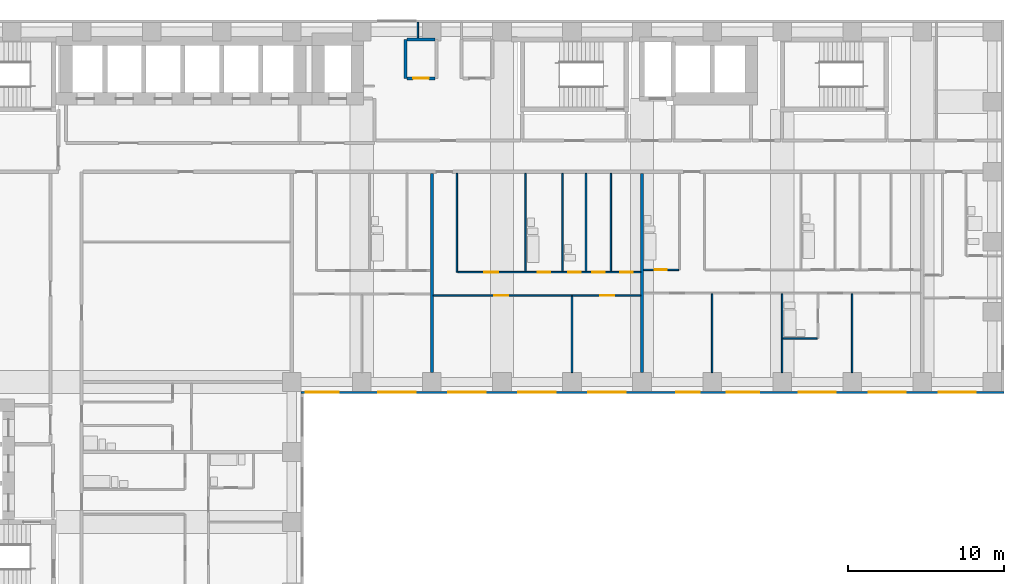
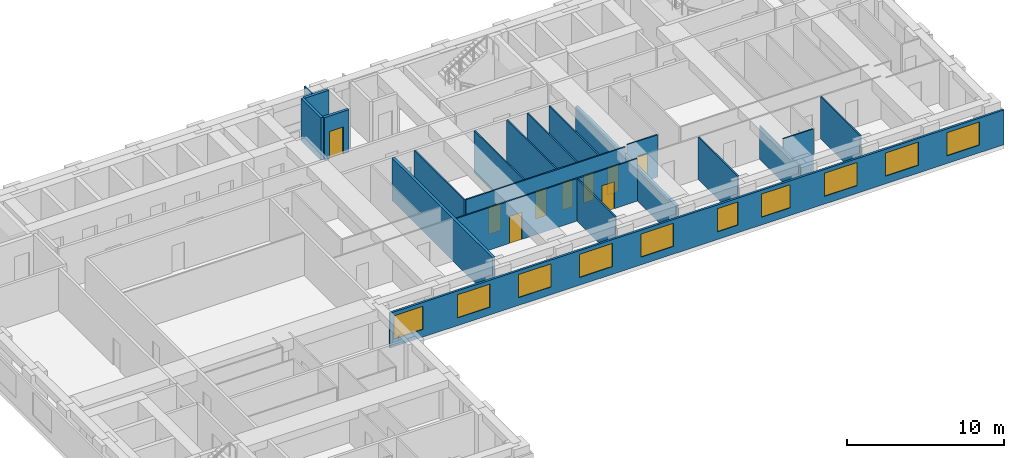
# One storey, part 6 of 11: 20 walls, 10 windows, 9 doors, 19 openings.
"""IFC4 building model written with IfcOpenShell, lengths in metres."""

import ifcopenshell
import ifcopenshell.guid

model = None  # the IFC model being written
_history = None  # IfcOwnerHistory: only IFC2X3 demands one
_inside = {}  # id of a spatial element -> (the spatial element, [elements in it])
_under = {}  # id of a project, library or spatial element -> (it, [spatial elements below it])
_declared = {}  # id of a project -> (the project, [libraries it declares])
_typed = {}  # id of a type object -> (the type object, [elements of that type])
_made_of = {}  # id of a material, layer set ... -> (it, [elements and type objects made of it])


def new_model(schema):
    """Start an empty IFC model of exactly this schema.

    Asked for "IFC4X3", IfcOpenShell would pick the latest addendum, in which some entities
    have other attributes; the version numbers below select the first issue.
    IFC2X3 requires an IfcOwnerHistory on every rooted entity: one is made here for all.
    """
    global model, _history
    if schema == "IFC4X3":
        model = ifcopenshell.file(schema_version=(4, 3, 0, 0))
    else:
        model = ifcopenshell.file(schema=schema)
    _inside.clear()
    _under.clear()
    _declared.clear()
    _typed.clear()
    _made_of.clear()
    _history = None
    if model.schema == "IFC2X3":
        org = make("IfcOrganization", Name="unknown")
        user = make(
            "IfcPersonAndOrganization",
            ThePerson=make("IfcPerson", FamilyName="unknown"),
            TheOrganization=org,
        )
        app = make(
            "IfcApplication",
            ApplicationDeveloper=org,
            Version="unknown",
            ApplicationFullName="unknown",
            ApplicationIdentifier="unknown",
        )
        _history = make(
            "IfcOwnerHistory",
            OwningUser=user,
            OwningApplication=app,
            ChangeAction="ADDED",
            CreationDate=0,
        )
    return model


def make(cls, **values):
    """One entity of the class cls with the attributes given. An attribute that is None is left unset."""
    return model.create_entity(
        cls, **{name: value for name, value in values.items() if value is not None}
    )


def rooted(cls, **values):
    """An entity with a GlobalId (a new one), such as an element, a storey or a relation."""
    return make(cls, GlobalId=ifcopenshell.guid.new(), OwnerHistory=_history, **values)


def si_unit(unit_type, name, prefix=None):
    """IfcSIUnit, for example si_unit("LENGTHUNIT", "METRE", prefix="MILLI")."""
    return make("IfcSIUnit", UnitType=unit_type, Prefix=prefix, Name=name)


def assignment(units):
    """IfcUnitAssignment: the units of a project."""
    return None if units is None else make("IfcUnitAssignment", Units=units)


def point(xyz):
    """IfcCartesianPoint."""
    return None if xyz is None else make("IfcCartesianPoint", Coordinates=xyz)


def direction(xyz):
    """IfcDirection."""
    return None if xyz is None else make("IfcDirection", DirectionRatios=xyz)


def frame(location, z_axis=None, x_axis=None):
    """IfcAxis2Placement3D, a coordinate frame: its origin and axes. An axis left out is left unset."""
    return make(
        "IfcAxis2Placement3D",
        Location=point(location),
        Axis=direction(z_axis),
        RefDirection=direction(x_axis),
    )


def frame_2d(location, x_axis=None):
    """IfcAxis2Placement2D, a coordinate frame in the plane: its origin and x axis."""
    return make(
        "IfcAxis2Placement2D", Location=point(location), RefDirection=direction(x_axis)
    )


def origin():
    """The frame at (0, 0, 0) with its axes left unset."""
    return frame((0.0, 0.0, 0.0))


def place(relative_to, where):
    """IfcLocalPlacement: puts the frame where relative to a parent placement (None: the world)."""
    return make(
        "IfcLocalPlacement", PlacementRelTo=relative_to, RelativePlacement=where
    )


def context(
    kind, dimensions, precision=None, world=None, true_north=None, identifier=None
):
    """IfcGeometricRepresentationContext, for example the 3D "Model" context."""
    return make(
        "IfcGeometricRepresentationContext",
        ContextIdentifier=identifier,
        ContextType=kind,
        CoordinateSpaceDimension=dimensions,
        Precision=precision,
        WorldCoordinateSystem=world,
        TrueNorth=true_north,
    )


def subcontext(parent, identifier, kind, view, scale=None):
    """IfcGeometricRepresentationSubContext, for example "Body" below "Model"."""
    return make(
        "IfcGeometricRepresentationSubContext",
        ContextIdentifier=identifier,
        ContextType=kind,
        ParentContext=parent,
        TargetScale=scale,
        TargetView=view,
    )


def project(units=None, contexts=None):
    """IfcProject with its units and contexts."""
    return rooted(
        "IfcProject",
        Name="project",
        RepresentationContexts=contexts,
        UnitsInContext=assignment(units),
    )


def spatial(cls, under=None, at=None, **own):
    """A site, building, storey or space (cls), placed at a placement, below another one or the project."""
    s = rooted(cls, ObjectPlacement=at, **own)
    if under is not None:
        _under.setdefault(under.id(), (under, []))[1].append(s)
    return s


def profile(cls, at=None, kind="AREA", **sizes):
    """A parametric profile (cls). Its sizes go by their IFC names, for example OverallWidth=200.0."""
    return make(cls, ProfileType=kind, Position=at, **sizes)


def rectangle(**sizes):
    """IfcRectangleProfileDef."""
    return profile("IfcRectangleProfileDef", **sizes)


def extrude(swept, where, along, depth):
    """IfcExtrudedAreaSolid: the profile swept, set in the frame where, extruded along a direction by depth."""
    return make(
        "IfcExtrudedAreaSolid",
        SweptArea=swept,
        Position=where,
        ExtrudedDirection=direction(along),
        Depth=depth,
    )


def shape(context_of_items, identifier, shape_type, items):
    """IfcShapeRepresentation: the items that make up one representation, for example the "Body"."""
    return make(
        "IfcShapeRepresentation",
        ContextOfItems=context_of_items,
        RepresentationIdentifier=identifier,
        RepresentationType=shape_type,
        Items=items,
    )


def material(Name=None, Category=None):
    """IfcMaterial."""
    return make("IfcMaterial", Name=Name, Category=Category)


def layer(
    of_material, thickness, ventilated=None, Name=None, Category=None, Priority=None
):
    """IfcMaterialLayer: one layer of a wall or slab, of a material (None: an air gap)."""
    return make(
        "IfcMaterialLayer",
        Material=of_material,
        LayerThickness=thickness,
        IsVentilated=ventilated,
        Name=Name,
        Category=Category,
        Priority=Priority,
    )


def layer_set(layers, Name=None):
    """IfcMaterialLayerSet."""
    return make("IfcMaterialLayerSet", MaterialLayers=layers, LayerSetName=Name)


def made_of(thing, what):
    """Note that an element or type object is made of a material, layer set ...; save() writes the relation."""
    if what is not None:
        _made_of.setdefault(what.id(), (what, []))[1].append(thing)
    return thing


def type_object(cls, material=None, **own):
    """A type object (cls), such as IfcWallType, which elements share."""
    return made_of(rooted(cls, **own), material)


def element(
    cls,
    number,
    at=None,
    inside=None,
    cuts=None,
    type_object=None,
    material=None,
    context=None,
    identifier="Body",
    shape_type=None,
    held_by="IfcProductDefinitionShape",
    body=None,
    shapes=None,
    **own,
):
    """One element of the class cls, such as IfcWall. Its Tag is "e" and its number.

    at: its placement. inside: the storey or other place that contains it. cuts: it is an
    opening in that element (IfcRelVoidsElement). A single representation is given by context,
    identifier, shape_type and body (its items); several are given by shapes. held_by: the class
    of the entity that holds the representations. save() writes the other relations.
    """
    e = rooted(cls, Tag="e%d" % number, ObjectPlacement=at, **own)
    if body is not None:
        shapes = [shape(context, identifier, shape_type, body)]
    if shapes is not None:
        e.Representation = make(held_by, Representations=shapes)
    if inside is not None:
        _inside.setdefault(inside.id(), (inside, []))[1].append(e)
    if cuts is not None:
        rooted(
            "IfcRelVoidsElement", RelatingBuildingElement=cuts, RelatedOpeningElement=e
        )
    if type_object is not None:
        _typed.setdefault(type_object.id(), (type_object, []))[1].append(e)
    return made_of(e, material)


def fill(opening, filler):
    """IfcRelFillsElement: the door or window that sits in an opening."""
    return rooted(
        "IfcRelFillsElement",
        RelatingOpeningElement=opening,
        RelatedBuildingElement=filler,
    )


def aggregate(whole, parts):
    """IfcRelAggregates: a whole, such as a stair, and the parts it consists of."""
    return rooted("IfcRelAggregates", RelatingObject=whole, RelatedObjects=parts)


def save(model, path):
    """Write the relations noted so far, then the file.

    IfcRelAggregates (storeys below a building ...), IfcRelContainedInSpatialStructure (elements
    in a storey), IfcRelDefinesByType, IfcRelAssociatesMaterial and IfcRelDeclares: one each for
    every whole, place, type object, material and project.
    """
    for whole, parts in _under.values():
        aggregate(whole, parts)
    for where, things in _inside.values():
        rooted(
            "IfcRelContainedInSpatialStructure",
            RelatedElements=things,
            RelatingStructure=where,
        )
    for kind, things in _typed.values():
        rooted("IfcRelDefinesByType", RelatedObjects=things, RelatingType=kind)
    for what, things in _made_of.values():
        rooted("IfcRelAssociatesMaterial", RelatedObjects=things, RelatingMaterial=what)
    for by, libraries in _declared.values():
        rooted("IfcRelDeclares", RelatingContext=by, RelatedDefinitions=libraries)
    model.write(path)


model = new_model("IFC4")

# Units and contexts
model_context = context("Model", 3, precision=1e-05, world=origin(), true_north=direction((0.0, 1.0)))
body_context = subcontext(model_context, "Body", "Model", "MODEL_VIEW")
ifc_project = project(units=[si_unit("LENGTHUNIT", "METRE"), si_unit("AREAUNIT", "SQUARE_METRE"), si_unit("VOLUMEUNIT", "CUBIC_METRE"), si_unit("PLANEANGLEUNIT", "RADIAN"), si_unit("MASSUNIT", "GRAM", prefix="KILO")], contexts=[model_context])

# Site, building, storey
site_placement = place(None, origin())
site = spatial("IfcSite", under=ifc_project, at=site_placement, CompositionType="ELEMENT")
building_placement = place(site_placement, origin())
building = spatial("IfcBuilding", under=site, at=building_placement, Name="Firuza Court", CompositionType="ELEMENT")
storey_placement = place(building_placement, frame((0.0, 0.0, 86.60009765625)))
storey = spatial("IfcBuildingStorey", under=building, at=storey_placement, Name="L21", CompositionType="ELEMENT", Elevation=86.60009765625)

# Walls
ifc_material_1 = material(Name="Moisture-resistant gypsum board partition")
ifc_layer_1 = layer(ifc_material_1, 0.10009765625)
ifc_layer_set_1 = layer_set([ifc_layer_1], Name="Moisture-resistant gypsum board partition")
wall_type_1 = type_object("IfcWallType", Name="Bathroom partition 100", PredefinedType="PLUMBINGWALL", material=ifc_layer_set_1)
wall_1_placement = place(storey_placement, frame((54.050048828125, 38.800048828125, 0.0), z_axis=(0.0, 0.0, 1.0), x_axis=(1.0, 0.0, 0.0)))
element("IfcWall", 1, at=wall_1_placement, inside=storey, type_object=wall_type_1, Name="Bathroom partition 100 L21", PredefinedType="PLUMBINGWALL", context=body_context, shape_type="SweptSolid", body=[
    extrude(rectangle(XDim=2.199951171875, YDim=0.10009765625, at=frame_2d((1.10009765625, 0.0))), origin(), (0.0, 0.0, 1.0), 3.2998046875),
])
for number, where, z_axis, x_axis, name in (
    (2, (37.5, 43.10009765625, 0.0), (0.0, 0.0, 1.0), (0.0, 1.0, 0.0), "Bathroom partition 100 L21"),
    (3, (39.89990234375, 43.10009765625, 0.0), (0.0, 0.0, 1.0), (0.0, 1.0, 0.0), "Bathroom partition 100 L21"),
    (4, (41.39990234375, 43.10009765625, 0.0), (0.0, 0.0, 1.0), (0.0, 1.0, 0.0), "Bathroom partition 100 L21"),
):
    element("IfcWall", number, at=place(storey_placement, frame(where, z_axis=z_axis, x_axis=x_axis)), inside=storey, type_object=wall_type_1, Name=name, PredefinedType="PLUMBINGWALL", context=body_context, shape_type="SweptSolid", body=[
        extrude(rectangle(XDim=6.2998046875, YDim=0.10009765625, at=frame_2d((3.14990234375, 0.0))), origin(), (0.0, 0.0, 1.0), 3.2998046875),
    ])
ifc_material_2 = material(Name="Timber stud partition, plasterboard both sides", Category="wood")
ifc_layer_2 = layer(ifc_material_2, 0.10009765625)
ifc_layer_set_2 = layer_set([ifc_layer_2], Name="Timber stud partition, plasterboard both sides")
wall_type_2 = type_object("IfcWallType", Name="Partition wall 100", PredefinedType="PARTITIONING", material=ifc_layer_set_2)
wall_2_placement = place(storey_placement, frame((40.5, 36.60009765625, 0.0), z_axis=(0.0, 0.0, 1.0), x_axis=(0.0, 1.0, 0.0)))
element("IfcWall", 5, at=wall_2_placement, inside=storey, type_object=wall_type_2, Name="Partition wall 100 L21", PredefinedType="PARTITIONING", context=body_context, shape_type="SweptSolid", body=[
    extrude(rectangle(XDim=4.89990234375, YDim=0.10009765625, at=frame_2d((2.449951171875, 0.0))), origin(), (0.0, 0.0, 1.0), 3.2998046875),
])
wall_3_placement = place(storey_placement, frame((49.5, 36.60009765625, 0.0), z_axis=(0.0, 0.0, 1.0), x_axis=(0.0, 1.0, 0.0)))
element("IfcWall", 6, at=wall_3_placement, inside=storey, type_object=wall_type_2, Name="Partition wall 100 L21", PredefinedType="PARTITIONING", context=body_context, shape_type="SweptSolid", body=[
    extrude(rectangle(XDim=5.0498046875, YDim=0.10009765625, at=frame_2d((2.52490234375, 0.0))), origin(), (0.0, 0.0, 1.0), 3.2998046875),
])
wall_4_placement = place(storey_placement, frame((54.0, 36.60009765625, 0.0), z_axis=(0.0, 0.0, 1.0), x_axis=(0.0, 1.0, 0.0)))
element("IfcWall", 7, at=wall_4_placement, inside=storey, type_object=wall_type_2, Name="Partition wall 100 L21", PredefinedType="PARTITIONING", context=body_context, shape_type="SweptSolid", body=[
    extrude(rectangle(XDim=5.0498046875, YDim=0.10009765625, at=frame_2d((2.52490234375, 0.0))), origin(), (0.0, 0.0, 1.0), 2.599853515625),
])
wall_5_placement = place(storey_placement, frame((58.5, 36.60009765625, 0.0), z_axis=(0.0, 0.0, 1.0), x_axis=(0.0, 1.0, 0.0)))
element("IfcWall", 8, at=wall_5_placement, inside=storey, type_object=wall_type_2, Name="Partition wall 100 L21", PredefinedType="PARTITIONING", context=body_context, shape_type="SweptSolid", body=[
    extrude(rectangle(XDim=5.0498046875, YDim=0.10009765625, at=frame_2d((2.52490234375, 0.0))), origin(), (0.0, 0.0, 1.0), 3.2998046875),
])

# Wall, openings, doors
wall_6_placement = place(storey_placement, frame((31.60009765625, 41.550048828125, 0.0), z_axis=(0.0, 0.0, 1.0), x_axis=(1.0, 0.0, 0.0)))
wall_6 = element("IfcWall", 9, at=wall_6_placement, inside=storey, type_object=wall_type_2, Name="Partition wall 100 L21", PredefinedType="PARTITIONING", context=body_context, shape_type="SweptSolid", body=[
    extrude(rectangle(XDim=13.2998046875, YDim=0.10009765625, at=frame_2d((6.64990234375, 0.0))), origin(), (0.0, 0.0, 1.0), 3.2998046875),
])
opening_1_placement = place(wall_6_placement, frame((3.89990234375, 0.0, 0.0)))
opening_1 = element("IfcOpeningElement", 10, at=opening_1_placement, cuts=wall_6, Name="Opening D21044", PredefinedType="OPENING", context=body_context, shape_type="SweptSolid", body=[
    extrude(rectangle(XDim=0.89990234375, YDim=2.10009765625, at=frame_2d((0.449951171875, 1.050048828125))), frame((0.0, 0.06201171875, 0.0), z_axis=(0.0, -1.0, 0.0), x_axis=(1.0, 0.0, 0.0)), (0.0, 0.0, 1.0), 0.1240234375),
])
opening_2_placement = place(wall_6_placement, frame((10.699951171875, 0.0, 0.0)))
opening_2 = element("IfcOpeningElement", 11, at=opening_2_placement, cuts=wall_6, Name="Opening D21045", PredefinedType="OPENING", context=body_context, shape_type="SweptSolid", body=[
    extrude(rectangle(XDim=0.89990234375, YDim=2.10009765625, at=frame_2d((0.449951171875, 1.050048828125))), frame((0.0, 0.06201171875, 0.0), z_axis=(0.0, -1.0, 0.0), x_axis=(1.0, 0.0, 0.0)), (0.0, 0.0, 1.0), 0.1240234375),
])
ifc_material_3 = material(Name="Timber door leaf in hardwood frame", Category="wood")
door_type_1 = type_object("IfcDoorType", Name="Room door 900", OperationType="SINGLE_SWING_LEFT", PredefinedType="DOOR", material=ifc_material_3)
door_1_placement = place(opening_1_placement, frame((0.89990234375, 0.0, 0.0), z_axis=(0.0, 0.0, 1.0), x_axis=(-1.0, 0.0, 0.0)))
door_1 = element("IfcDoor", 12, at=door_1_placement, inside=storey, type_object=door_type_1, Name="Living room door", OperationType="SINGLE_SWING_RIGHT", OverallHeight=2.10009765625, OverallWidth=0.89990234375, PredefinedType="DOOR", context=body_context, shape_type="SweptSolid", body=[
    extrude(rectangle(XDim=0.89990234375, YDim=2.10009765625, at=frame_2d((0.449951171875, 1.050048828125))), frame((0.0, 0.02490234375, 0.0), z_axis=(0.0, -1.0, 0.0), x_axis=(1.0, 0.0, 0.0)), (0.0, 0.0, 1.0), 0.050048828125),
])
fill(opening_1, door_1)
door_2_placement = place(opening_2_placement, frame((0.89990234375, 0.0, 0.0), z_axis=(0.0, 0.0, 1.0), x_axis=(-1.0, 0.0, 0.0)))
door_2 = element("IfcDoor", 13, at=door_2_placement, inside=storey, type_object=door_type_1, Name="Bedroom door", OperationType="SINGLE_SWING_RIGHT", OverallHeight=2.10009765625, OverallWidth=0.89990234375, PredefinedType="DOOR", context=body_context, shape_type="SweptSolid", body=[
    extrude(rectangle(XDim=0.89990234375, YDim=2.10009765625, at=frame_2d((0.449951171875, 1.050048828125))), frame((0.0, 0.02490234375, 0.0), z_axis=(0.0, -1.0, 0.0), x_axis=(1.0, 0.0, 0.0)), (0.0, 0.0, 1.0), 0.050048828125),
])
fill(opening_2, door_2)

# Wall
wall_7_placement = place(storey_placement, frame((33.10009765625, 43.050048828125, 0.0), z_axis=(0.0, 0.0, 1.0), x_axis=(0.0, 1.0, 0.0)))
element("IfcWall", 14, at=wall_7_placement, inside=storey, type_object=wall_type_2, Name="Partition wall 100 L21", PredefinedType="PARTITIONING", context=body_context, shape_type="SweptSolid", body=[
    extrude(rectangle(XDim=6.349853515625, YDim=0.10009765625, at=frame_2d((3.1748046875, 0.0))), origin(), (0.0, 0.0, 1.0), 3.2998046875),
])

# Wall, openings, doors
wall_8_placement = place(storey_placement, frame((33.14990234375, 43.050048828125, 0.0), z_axis=(0.0, 0.0, 1.0), x_axis=(1.0, 0.0, 0.0)))
wall_8 = element("IfcWall", 15, at=wall_8_placement, inside=storey, type_object=wall_type_2, Name="Partition wall 100 L21", PredefinedType="PARTITIONING", context=body_context, shape_type="SweptSolid", body=[
    extrude(rectangle(XDim=11.75, YDim=0.10009765625, at=frame_2d((5.875, 0.0))), origin(), (0.0, 0.0, 1.0), 3.2998046875),
])
opening_3_placement = place(wall_8_placement, frame((5.14990234375, 0.0, 0.0)))
opening_3 = element("IfcOpeningElement", 16, at=opening_3_placement, cuts=wall_8, Name="Opening D21053", PredefinedType="OPENING", context=body_context, shape_type="SweptSolid", body=[
    extrude(rectangle(XDim=0.800048828125, YDim=2.10009765625, at=frame_2d((0.39990234375, 1.050048828125))), frame((0.0, 0.06201171875, 0.0), z_axis=(0.0, -1.0, 0.0), x_axis=(1.0, 0.0, 0.0)), (0.0, 0.0, 1.0), 0.1240234375),
])
opening_4_placement = place(wall_8_placement, frame((1.699951171875, 0.0, 0.0)))
opening_4 = element("IfcOpeningElement", 17, at=opening_4_placement, cuts=wall_8, Name="Opening D21054", PredefinedType="OPENING", context=body_context, shape_type="SweptSolid", body=[
    extrude(rectangle(XDim=0.89990234375, YDim=2.10009765625, at=frame_2d((0.449951171875, 1.050048828125))), frame((0.0, 0.06201171875, 0.0), z_axis=(0.0, -1.0, 0.0), x_axis=(1.0, 0.0, 0.0)), (0.0, 0.0, 1.0), 0.1240234375),
])
opening_5_placement = place(wall_8_placement, frame((8.64990234375, 0.0, 0.0)))
opening_5 = element("IfcOpeningElement", 18, at=opening_5_placement, cuts=wall_8, Name="Opening D21055", PredefinedType="OPENING", context=body_context, shape_type="SweptSolid", body=[
    extrude(rectangle(XDim=0.800048828125, YDim=2.10009765625, at=frame_2d((0.39990234375, 1.050048828125))), frame((0.0, 0.06201171875, 0.0), z_axis=(0.0, -1.0, 0.0), x_axis=(1.0, 0.0, 0.0)), (0.0, 0.0, 1.0), 0.1240234375),
])
opening_6_placement = place(wall_8_placement, frame((10.449951171875, 0.0, 0.0)))
opening_6 = element("IfcOpeningElement", 19, at=opening_6_placement, cuts=wall_8, Name="Opening D21056", PredefinedType="OPENING", context=body_context, shape_type="SweptSolid", body=[
    extrude(rectangle(XDim=0.800048828125, YDim=2.10009765625, at=frame_2d((0.39990234375, 1.050048828125))), frame((0.0, 0.06201171875, 0.0), z_axis=(0.0, -1.0, 0.0), x_axis=(1.0, 0.0, 0.0)), (0.0, 0.0, 1.0), 0.1240234375),
])
opening_7_placement = place(wall_8_placement, frame((7.10009765625, 0.0, 0.0)))
opening_7 = element("IfcOpeningElement", 20, at=opening_7_placement, cuts=wall_8, Name="Opening D21057", PredefinedType="OPENING", context=body_context, shape_type="SweptSolid", body=[
    extrude(rectangle(XDim=0.800048828125, YDim=2.10009765625, at=frame_2d((0.39990234375, 1.050048828125))), frame((0.0, 0.06201171875, 0.0), z_axis=(0.0, -1.0, 0.0), x_axis=(1.0, 0.0, 0.0)), (0.0, 0.0, 1.0), 0.1240234375),
])
ifc_material_4 = material(Name="Timber door leaf in hardwood frame", Category="wood")
door_type_2 = type_object("IfcDoorType", Name="Bathroom door 800", OperationType="SINGLE_SWING_LEFT", PredefinedType="DOOR", material=ifc_material_4)
door_3_placement = place(opening_3_placement, origin())
door_3 = element("IfcDoor", 21, at=door_3_placement, inside=storey, type_object=door_type_2, Name="Bathroom door", OperationType="SINGLE_SWING_LEFT", OverallHeight=2.10009765625, OverallWidth=0.800048828125, PredefinedType="DOOR", context=body_context, shape_type="SweptSolid", body=[
    extrude(rectangle(XDim=0.800048828125, YDim=2.10009765625, at=frame_2d((0.39990234375, 1.050048828125))), frame((0.0, 0.02490234375, 0.0), z_axis=(0.0, -1.0, 0.0), x_axis=(1.0, 0.0, 0.0)), (0.0, 0.0, 1.0), 0.050048828125),
])
fill(opening_3, door_3)
door_4_placement = place(opening_7_placement, origin())
door_4 = element("IfcDoor", 22, at=door_4_placement, inside=storey, type_object=door_type_2, Name="Powder room door", OperationType="SINGLE_SWING_LEFT", OverallHeight=2.10009765625, OverallWidth=0.800048828125, PredefinedType="DOOR", context=body_context, shape_type="SweptSolid", body=[
    extrude(rectangle(XDim=0.800048828125, YDim=2.10009765625, at=frame_2d((0.39990234375, 1.050048828125))), frame((0.0, 0.02490234375, 0.0), z_axis=(0.0, -1.0, 0.0), x_axis=(1.0, 0.0, 0.0)), (0.0, 0.0, 1.0), 0.050048828125),
])
fill(opening_7, door_4)
ifc_material_5 = material(Name="Timber door leaf in hardwood frame", Category="wood")
door_type_3 = type_object("IfcDoorType", Name="Room door 800", OperationType="SINGLE_SWING_LEFT", PredefinedType="DOOR", material=ifc_material_5)
door_5_placement = place(opening_5_placement, origin())
door_5 = element("IfcDoor", 23, at=door_5_placement, inside=storey, type_object=door_type_3, Name="Store door", OperationType="SINGLE_SWING_LEFT", OverallHeight=2.10009765625, OverallWidth=0.800048828125, PredefinedType="DOOR", context=body_context, shape_type="SweptSolid", body=[
    extrude(rectangle(XDim=0.800048828125, YDim=2.10009765625, at=frame_2d((0.39990234375, 1.050048828125))), frame((0.0, 0.02490234375, 0.0), z_axis=(0.0, -1.0, 0.0), x_axis=(1.0, 0.0, 0.0)), (0.0, 0.0, 1.0), 0.050048828125),
])
fill(opening_5, door_5)
door_6_placement = place(opening_6_placement, origin())
door_6 = element("IfcDoor", 24, at=door_6_placement, inside=storey, type_object=door_type_3, Name="Utility room door", OperationType="SINGLE_SWING_LEFT", OverallHeight=2.10009765625, OverallWidth=0.800048828125, PredefinedType="DOOR", context=body_context, shape_type="SweptSolid", body=[
    extrude(rectangle(XDim=0.800048828125, YDim=2.10009765625, at=frame_2d((0.39990234375, 1.050048828125))), frame((0.0, 0.02490234375, 0.0), z_axis=(0.0, -1.0, 0.0), x_axis=(1.0, 0.0, 0.0)), (0.0, 0.0, 1.0), 0.050048828125),
])
fill(opening_6, door_6)
door_7_placement = place(opening_4_placement, origin())
door_7 = element("IfcDoor", 25, at=door_7_placement, inside=storey, type_object=door_type_1, Name="Kitchen door", OperationType="SINGLE_SWING_LEFT", OverallHeight=2.10009765625, OverallWidth=0.89990234375, PredefinedType="DOOR", context=body_context, shape_type="SweptSolid", body=[
    extrude(rectangle(XDim=0.89990234375, YDim=2.10009765625, at=frame_2d((0.449951171875, 1.050048828125))), frame((0.0, 0.02490234375, 0.0), z_axis=(0.0, -1.0, 0.0), x_axis=(1.0, 0.0, 0.0)), (0.0, 0.0, 1.0), 0.050048828125),
])
fill(opening_4, door_7)

# Wall
wall_9_placement = place(storey_placement, frame((43.0, 43.10009765625, 0.0), z_axis=(0.0, 0.0, 1.0), x_axis=(0.0, 1.0, 0.0)))
element("IfcWall", 26, at=wall_9_placement, inside=storey, type_object=wall_type_2, Name="Partition wall 100 L21", PredefinedType="PARTITIONING", context=body_context, shape_type="SweptSolid", body=[
    extrude(rectangle(XDim=6.2998046875, YDim=0.10009765625, at=frame_2d((3.14990234375, 0.0))), origin(), (0.0, 0.0, 1.0), 3.2998046875),
])

# Wall, opening, door
wall_10_placement = place(storey_placement, frame((45.10009765625, 43.199951171875, 0.0), z_axis=(0.0, 0.0, 1.0), x_axis=(1.0, 0.0, 0.0)))
wall_10 = element("IfcWall", 27, at=wall_10_placement, inside=storey, type_object=wall_type_2, Name="Partition wall 100 L21", PredefinedType="PARTITIONING", context=body_context, shape_type="SweptSolid", body=[
    extrude(rectangle(XDim=2.25, YDim=0.10009765625, at=frame_2d((1.125, 0.0))), origin(), (0.0, 0.0, 1.0), 3.2998046875),
])
opening_8_placement = place(wall_10_placement, frame((0.699951171875, 0.0, 0.0)))
opening_8 = element("IfcOpeningElement", 28, at=opening_8_placement, cuts=wall_10, Name="Opening D21061", PredefinedType="OPENING", context=body_context, shape_type="SweptSolid", body=[
    extrude(rectangle(XDim=0.800048828125, YDim=2.10009765625, at=frame_2d((0.39990234375, 1.050048828125))), frame((0.0, 0.06201171875, 0.0), z_axis=(0.0, -1.0, 0.0), x_axis=(1.0, 0.0, 0.0)), (0.0, 0.0, 1.0), 0.1240234375),
])
door_8_placement = place(opening_8_placement, origin())
door_8 = element("IfcDoor", 29, at=door_8_placement, inside=storey, type_object=door_type_2, Name="Bathroom door", OperationType="SINGLE_SWING_LEFT", OverallHeight=2.10009765625, OverallWidth=0.800048828125, PredefinedType="DOOR", context=body_context, shape_type="SweptSolid", body=[
    extrude(rectangle(XDim=0.800048828125, YDim=2.10009765625, at=frame_2d((0.39990234375, 1.050048828125))), frame((0.0, 0.02490234375, 0.0), z_axis=(0.0, -1.0, 0.0), x_axis=(1.0, 0.0, 0.0)), (0.0, 0.0, 1.0), 0.050048828125),
])
fill(opening_8, door_8)

# Walls
wall_11_placement = place(storey_placement, frame((30.60009765625, 58.10009765625, 0.0), z_axis=(0.0, 0.0, 1.0), x_axis=(0.0, 1.0, 0.0)))
element("IfcWall", 30, at=wall_11_placement, inside=storey, type_object=wall_type_2, Name="Partition wall 100 L21", PredefinedType="PARTITIONING", context=body_context, shape_type="SweptSolid", body=[
    extrude(rectangle(XDim=1.0, YDim=0.10009765625, at=frame_2d((0.5, 0.0))), origin(), (0.0, 0.0, 1.0), 3.2998046875),
])
ifc_material_6 = material(Name="Blockwork, plastered both sides", Category="masonry")
ifc_layer_3 = layer(ifc_material_6, 0.199951171875)
ifc_layer_set_3 = layer_set([ifc_layer_3], Name="Blockwork, plastered both sides")
wall_type_3 = type_object("IfcWallType", Name="Party wall 200", PredefinedType="PARTITIONING", material=ifc_layer_set_3)
wall_12_placement = place(storey_placement, frame((31.5, 36.60009765625, 0.0), z_axis=(0.0, 0.0, 1.0), x_axis=(0.0, 1.0, 0.0)))
element("IfcWall", 31, at=wall_12_placement, inside=storey, type_object=wall_type_3, Name="Party wall 200 L21", PredefinedType="PARTITIONING", context=body_context, shape_type="SweptSolid", body=[
    extrude(rectangle(XDim=12.7998046875, YDim=0.199951171875, at=frame_2d((6.39990234375, 0.0))), origin(), (0.0, 0.0, 1.0), 3.2998046875),
])
wall_13_placement = place(storey_placement, frame((45.0, 36.60009765625, 0.0), z_axis=(0.0, 0.0, 1.0), x_axis=(0.0, 1.0, 0.0)))
element("IfcWall", 32, at=wall_13_placement, inside=storey, type_object=wall_type_3, Name="Party wall 200 L21", PredefinedType="PARTITIONING", context=body_context, shape_type="SweptSolid", body=[
    extrude(rectangle(XDim=12.7998046875, YDim=0.199951171875, at=frame_2d((6.39990234375, 0.0))), origin(), (0.0, 0.0, 1.0), 2.599853515625),
])
ifc_material_7 = material(Name="Blockwork, fire-rated", Category="masonry")
ifc_layer_4 = layer(ifc_material_7, 0.199951171875)
ifc_layer_set_4 = layer_set([ifc_layer_4], Name="Blockwork, fire-rated")
wall_type_4 = type_object("IfcWallType", Name="Plant room wall 200", PredefinedType="PARTITIONING", material=ifc_layer_set_4)
wall_14_placement = place(storey_placement, frame((29.800048828125, 55.5, 0.0), z_axis=(0.0, 0.0, 1.0), x_axis=(0.0, 1.0, 0.0)))
element("IfcWall", 33, at=wall_14_placement, inside=storey, type_object=wall_type_4, Name="Plant room wall 200 L21", PredefinedType="PARTITIONING", context=body_context, shape_type="SweptSolid", body=[
    extrude(rectangle(XDim=2.5, YDim=0.199951171875, at=frame_2d((1.25, 0.0))), origin(), (0.0, 0.0, 1.0), 3.2998046875),
])

# Wall, opening, door
wall_15_placement = place(storey_placement, frame((29.89990234375, 55.5, 0.0), z_axis=(0.0, 0.0, 1.0), x_axis=(1.0, 0.0, 0.0)))
wall_15 = element("IfcWall", 34, at=wall_15_placement, inside=storey, type_object=wall_type_4, Name="Plant room wall 200 L21", PredefinedType="PARTITIONING", context=body_context, shape_type="SweptSolid", body=[
    extrude(rectangle(XDim=1.800048828125, YDim=0.199951171875, at=frame_2d((0.89990234375, 0.0))), origin(), (0.0, 0.0, 1.0), 3.2998046875),
])
opening_9_placement = place(wall_15_placement, frame((0.39990234375, 0.0, 0.0)))
opening_9 = element("IfcOpeningElement", 35, at=opening_9_placement, cuts=wall_15, Name="Opening D21078", PredefinedType="OPENING", context=body_context, shape_type="SweptSolid", body=[
    extrude(rectangle(XDim=1.0, YDim=2.10009765625, at=frame_2d((0.5, 1.050048828125))), frame((0.0, 0.11181640625, 0.0), z_axis=(0.0, -1.0, 0.0), x_axis=(1.0, 0.0, 0.0)), (0.0, 0.0, 1.0), 0.223876953125),
])
ifc_material_8 = material(Name="Timber door leaf in hardwood frame", Category="wood")
door_type_4 = type_object("IfcDoorType", Name="Riser door 1000", OperationType="SINGLE_SWING_LEFT", PredefinedType="DOOR", material=ifc_material_8)
door_9_placement = place(opening_9_placement, origin())
door_9 = element("IfcDoor", 36, at=door_9_placement, inside=storey, type_object=door_type_4, Name="Electrical riser door", OperationType="SINGLE_SWING_LEFT", OverallHeight=2.10009765625, OverallWidth=1.0, PredefinedType="DOOR", context=body_context, shape_type="SweptSolid", body=[
    extrude(rectangle(XDim=1.0, YDim=2.10009765625, at=frame_2d((0.5, 1.050048828125))), frame((0.0, 0.02490234375, 0.0), z_axis=(0.0, -1.0, 0.0), x_axis=(1.0, 0.0, 0.0)), (0.0, 0.0, 1.0), 0.050048828125),
])
fill(opening_9, door_9)

# Wall
wall_16_placement = place(storey_placement, frame((29.89990234375, 58.0, 0.0), z_axis=(0.0, 0.0, 1.0), x_axis=(1.0, 0.0, 0.0)))
element("IfcWall", 37, at=wall_16_placement, inside=storey, type_object=wall_type_4, Name="Plant room wall 200 L21", PredefinedType="PARTITIONING", context=body_context, shape_type="SweptSolid", body=[
    extrude(rectangle(XDim=1.800048828125, YDim=0.199951171875, at=frame_2d((0.89990234375, 0.0))), origin(), (0.0, 0.0, 1.0), 3.2998046875),
])

# Wall, openings, windows
ifc_material_9 = material(Name="Ceramic tile", Category="ceramic")
ifc_layer_5 = layer(ifc_material_9, 0.02001953125)
ifc_material_10 = material(Name="Mineral wool insulation", Category="insulation")
ifc_layer_6 = layer(ifc_material_10, 0.050048828125)
ifc_material_11 = material(Name="Concrete C40/50 precast", Category="concrete")
ifc_layer_7 = layer(ifc_material_11, 0.080078125)
ifc_layer_set_5 = layer_set([ifc_layer_5, ifc_layer_6, ifc_layer_7], Name="Concrete C40/50 precast")
wall_type_5 = type_object("IfcWallType", Name="Precast cladding wall with turquoise TILE PANEL face 150", PredefinedType="STANDARD", material=ifc_layer_set_5)
wall_17_placement = place(storey_placement, frame((23.10009765625, 35.324951171875, 0.0), z_axis=(0.0, 0.0, 1.0), x_axis=(1.0, 0.0, 0.0)))
wall_17 = element("IfcWall", 38, at=wall_17_placement, inside=storey, type_object=wall_type_5, Name="Facade wall L21 S", PredefinedType="STANDARD", context=body_context, shape_type="SweptSolid", body=[
    extrude(rectangle(XDim=45.14990234375, YDim=0.14990234375, at=frame_2d((22.574951171875, 0.0))), origin(), (0.0, 0.0, 1.0), 2.699951171875),
])
opening_10_placement = place(wall_17_placement, frame((0.311767578125, 0.0, 0.60009765625)))
opening_10 = element("IfcOpeningElement", 39, at=opening_10_placement, cuts=wall_17, Name="Opening W6", PredefinedType="OPENING", context=body_context, shape_type="SweptSolid", body=[
    extrude(rectangle(XDim=2.10009765625, YDim=1.800048828125, at=frame_2d((1.050048828125, 0.89990234375))), frame((0.0, 0.0869140625, 0.0), z_axis=(0.0, -1.0, 0.0), x_axis=(1.0, 0.0, 0.0)), (0.0, 0.0, 1.0), 0.173828125),
])
opening_11_placement = place(wall_17_placement, frame((4.949951171875, 0.0, 0.60009765625)))
opening_11 = element("IfcOpeningElement", 40, at=opening_11_placement, cuts=wall_17, Name="Opening W1", PredefinedType="OPENING", context=body_context, shape_type="SweptSolid", body=[
    extrude(rectangle(XDim=2.39990234375, YDim=1.800048828125, at=frame_2d((1.199951171875, 0.89990234375))), frame((0.0, 0.0869140625, 0.0), z_axis=(0.0, -1.0, 0.0), x_axis=(1.0, 0.0, 0.0)), (0.0, 0.0, 1.0), 0.173828125),
])
opening_12_placement = place(wall_17_placement, frame((9.449951171875, 0.0, 0.60009765625)))
opening_12 = element("IfcOpeningElement", 41, at=opening_12_placement, cuts=wall_17, Name="Opening W1", PredefinedType="OPENING", context=body_context, shape_type="SweptSolid", body=[
    extrude(rectangle(XDim=2.39990234375, YDim=1.800048828125, at=frame_2d((1.199951171875, 0.89990234375))), frame((0.0, 0.0869140625, 0.0), z_axis=(0.0, -1.0, 0.0), x_axis=(1.0, 0.0, 0.0)), (0.0, 0.0, 1.0), 0.173828125),
])
opening_13_placement = place(wall_17_placement, frame((13.949951171875, 0.0, 0.60009765625)))
opening_13 = element("IfcOpeningElement", 42, at=opening_13_placement, cuts=wall_17, Name="Opening W1", PredefinedType="OPENING", context=body_context, shape_type="SweptSolid", body=[
    extrude(rectangle(XDim=2.39990234375, YDim=1.800048828125, at=frame_2d((1.199951171875, 0.89990234375))), frame((0.0, 0.0869140625, 0.0), z_axis=(0.0, -1.0, 0.0), x_axis=(1.0, 0.0, 0.0)), (0.0, 0.0, 1.0), 0.173828125),
])
opening_14_placement = place(wall_17_placement, frame((18.449951171875, 0.0, 0.60009765625)))
opening_14 = element("IfcOpeningElement", 43, at=opening_14_placement, cuts=wall_17, Name="Opening W1", PredefinedType="OPENING", context=body_context, shape_type="SweptSolid", body=[
    extrude(rectangle(XDim=2.39990234375, YDim=1.800048828125, at=frame_2d((1.199951171875, 0.89990234375))), frame((0.0, 0.0869140625, 0.0), z_axis=(0.0, -1.0, 0.0), x_axis=(1.0, 0.0, 0.0)), (0.0, 0.0, 1.0), 0.173828125),
])
opening_15_placement = place(wall_17_placement, frame((24.0966796875, 0.0, 0.60009765625)))
opening_15 = element("IfcOpeningElement", 44, at=opening_15_placement, cuts=wall_17, Name="Opening W2", PredefinedType="OPENING", context=body_context, shape_type="SweptSolid", body=[
    extrude(rectangle(XDim=1.5, YDim=1.800048828125, at=frame_2d((0.75, 0.89990234375))), frame((0.0, 0.0869140625, 0.0), z_axis=(0.0, -1.0, 0.0), x_axis=(1.0, 0.0, 0.0)), (0.0, 0.0, 1.0), 0.173828125),
])
opening_16_placement = place(wall_17_placement, frame((27.33056640625, 0.0, 0.60009765625)))
opening_16 = element("IfcOpeningElement", 45, at=opening_16_placement, cuts=wall_17, Name="Opening W6", PredefinedType="OPENING", context=body_context, shape_type="SweptSolid", body=[
    extrude(rectangle(XDim=2.10009765625, YDim=1.800048828125, at=frame_2d((1.050048828125, 0.89990234375))), frame((0.0, 0.0869140625, 0.0), z_axis=(0.0, -1.0, 0.0), x_axis=(1.0, 0.0, 0.0)), (0.0, 0.0, 1.0), 0.173828125),
])
opening_17_placement = place(wall_17_placement, frame((31.949951171875, 0.0, 0.60009765625)))
opening_17 = element("IfcOpeningElement", 46, at=opening_17_placement, cuts=wall_17, Name="Opening W1", PredefinedType="OPENING", context=body_context, shape_type="SweptSolid", body=[
    extrude(rectangle(XDim=2.39990234375, YDim=1.800048828125, at=frame_2d((1.199951171875, 0.89990234375))), frame((0.0, 0.0869140625, 0.0), z_axis=(0.0, -1.0, 0.0), x_axis=(1.0, 0.0, 0.0)), (0.0, 0.0, 1.0), 0.173828125),
])
opening_18_placement = place(wall_17_placement, frame((36.449951171875, 0.0, 0.60009765625)))
opening_18 = element("IfcOpeningElement", 47, at=opening_18_placement, cuts=wall_17, Name="Opening W1", PredefinedType="OPENING", context=body_context, shape_type="SweptSolid", body=[
    extrude(rectangle(XDim=2.39990234375, YDim=1.800048828125, at=frame_2d((1.199951171875, 0.89990234375))), frame((0.0, 0.0869140625, 0.0), z_axis=(0.0, -1.0, 0.0), x_axis=(1.0, 0.0, 0.0)), (0.0, 0.0, 1.0), 0.173828125),
])
opening_19_placement = place(wall_17_placement, frame((40.949951171875, 0.0, 0.60009765625)))
opening_19 = element("IfcOpeningElement", 48, at=opening_19_placement, cuts=wall_17, Name="Opening W1", PredefinedType="OPENING", context=body_context, shape_type="SweptSolid", body=[
    extrude(rectangle(XDim=2.39990234375, YDim=1.800048828125, at=frame_2d((1.199951171875, 0.89990234375))), frame((0.0, 0.0869140625, 0.0), z_axis=(0.0, -1.0, 0.0), x_axis=(1.0, 0.0, 0.0)), (0.0, 0.0, 1.0), 0.173828125),
])
ifc_material_12 = material(Name="Aluminium frame, triple clear glazing", Category="aluminium")
window_type_1 = type_object("IfcWindowType", Name="Window W1 2400 x 1800", PartitioningType="SINGLE_PANEL", PredefinedType="WINDOW", material=ifc_material_12)
window_1_placement = place(opening_11_placement, origin())
window_1 = element("IfcWindow", 49, at=window_1_placement, inside=storey, type_object=window_type_1, Name="Window L21", OverallHeight=1.800048828125, OverallWidth=2.39990234375, PartitioningType="SINGLE_PANEL", PredefinedType="WINDOW", context=body_context, shape_type="SweptSolid", body=[
    extrude(rectangle(XDim=2.39990234375, YDim=1.800048828125, at=frame_2d((1.199951171875, 0.89990234375))), frame((0.0, 0.030029296875, 0.0), z_axis=(0.0, -1.0, 0.0), x_axis=(1.0, 0.0, 0.0)), (0.0, 0.0, 1.0), 0.06005859375),
])
fill(opening_11, window_1)
window_2_placement = place(opening_12_placement, origin())
window_2 = element("IfcWindow", 50, at=window_2_placement, inside=storey, type_object=window_type_1, Name="Window L21", OverallHeight=1.800048828125, OverallWidth=2.39990234375, PartitioningType="SINGLE_PANEL", PredefinedType="WINDOW", context=body_context, shape_type="SweptSolid", body=[
    extrude(rectangle(XDim=2.39990234375, YDim=1.800048828125, at=frame_2d((1.199951171875, 0.89990234375))), frame((0.0, 0.030029296875, 0.0), z_axis=(0.0, -1.0, 0.0), x_axis=(1.0, 0.0, 0.0)), (0.0, 0.0, 1.0), 0.06005859375),
])
fill(opening_12, window_2)
window_3_placement = place(opening_13_placement, origin())
window_3 = element("IfcWindow", 51, at=window_3_placement, inside=storey, type_object=window_type_1, Name="Window L21", OverallHeight=1.800048828125, OverallWidth=2.39990234375, PartitioningType="SINGLE_PANEL", PredefinedType="WINDOW", context=body_context, shape_type="SweptSolid", body=[
    extrude(rectangle(XDim=2.39990234375, YDim=1.800048828125, at=frame_2d((1.199951171875, 0.89990234375))), frame((0.0, 0.030029296875, 0.0), z_axis=(0.0, -1.0, 0.0), x_axis=(1.0, 0.0, 0.0)), (0.0, 0.0, 1.0), 0.06005859375),
])
fill(opening_13, window_3)
window_4_placement = place(opening_14_placement, origin())
window_4 = element("IfcWindow", 52, at=window_4_placement, inside=storey, type_object=window_type_1, Name="Window L21", OverallHeight=1.800048828125, OverallWidth=2.39990234375, PartitioningType="SINGLE_PANEL", PredefinedType="WINDOW", context=body_context, shape_type="SweptSolid", body=[
    extrude(rectangle(XDim=2.39990234375, YDim=1.800048828125, at=frame_2d((1.199951171875, 0.89990234375))), frame((0.0, 0.030029296875, 0.0), z_axis=(0.0, -1.0, 0.0), x_axis=(1.0, 0.0, 0.0)), (0.0, 0.0, 1.0), 0.06005859375),
])
fill(opening_14, window_4)
window_5_placement = place(opening_17_placement, origin())
window_5 = element("IfcWindow", 53, at=window_5_placement, inside=storey, type_object=window_type_1, Name="Window L21", OverallHeight=1.800048828125, OverallWidth=2.39990234375, PartitioningType="SINGLE_PANEL", PredefinedType="WINDOW", context=body_context, shape_type="SweptSolid", body=[
    extrude(rectangle(XDim=2.39990234375, YDim=1.800048828125, at=frame_2d((1.199951171875, 0.89990234375))), frame((0.0, 0.030029296875, 0.0), z_axis=(0.0, -1.0, 0.0), x_axis=(1.0, 0.0, 0.0)), (0.0, 0.0, 1.0), 0.06005859375),
])
fill(opening_17, window_5)
window_6_placement = place(opening_18_placement, origin())
window_6 = element("IfcWindow", 54, at=window_6_placement, inside=storey, type_object=window_type_1, Name="Window L21", OverallHeight=1.800048828125, OverallWidth=2.39990234375, PartitioningType="SINGLE_PANEL", PredefinedType="WINDOW", context=body_context, shape_type="SweptSolid", body=[
    extrude(rectangle(XDim=2.39990234375, YDim=1.800048828125, at=frame_2d((1.199951171875, 0.89990234375))), frame((0.0, 0.030029296875, 0.0), z_axis=(0.0, -1.0, 0.0), x_axis=(1.0, 0.0, 0.0)), (0.0, 0.0, 1.0), 0.06005859375),
])
fill(opening_18, window_6)
window_7_placement = place(opening_19_placement, origin())
window_7 = element("IfcWindow", 55, at=window_7_placement, inside=storey, type_object=window_type_1, Name="Window L21", OverallHeight=1.800048828125, OverallWidth=2.39990234375, PartitioningType="SINGLE_PANEL", PredefinedType="WINDOW", context=body_context, shape_type="SweptSolid", body=[
    extrude(rectangle(XDim=2.39990234375, YDim=1.800048828125, at=frame_2d((1.199951171875, 0.89990234375))), frame((0.0, 0.030029296875, 0.0), z_axis=(0.0, -1.0, 0.0), x_axis=(1.0, 0.0, 0.0)), (0.0, 0.0, 1.0), 0.06005859375),
])
fill(opening_19, window_7)
ifc_material_13 = material(Name="Aluminium frame, triple clear glazing", Category="aluminium")
window_type_2 = type_object("IfcWindowType", Name="Window W2 1500 x 1800", PartitioningType="SINGLE_PANEL", PredefinedType="WINDOW", material=ifc_material_13)
window_8_placement = place(opening_15_placement, origin())
window_8 = element("IfcWindow", 56, at=window_8_placement, inside=storey, type_object=window_type_2, Name="Window L21", OverallHeight=1.800048828125, OverallWidth=1.5, PartitioningType="SINGLE_PANEL", PredefinedType="WINDOW", context=body_context, shape_type="SweptSolid", body=[
    extrude(rectangle(XDim=1.5, YDim=1.800048828125, at=frame_2d((0.75, 0.89990234375))), frame((0.0, 0.030029296875, 0.0), z_axis=(0.0, -1.0, 0.0), x_axis=(1.0, 0.0, 0.0)), (0.0, 0.0, 1.0), 0.06005859375),
])
fill(opening_15, window_8)
ifc_material_14 = material(Name="Aluminium frame, triple clear glazing", Category="aluminium")
window_type_3 = type_object("IfcWindowType", Name="Window W6 2100 x 1800", PartitioningType="SINGLE_PANEL", PredefinedType="WINDOW", material=ifc_material_14)
window_9_placement = place(opening_10_placement, origin())
window_9 = element("IfcWindow", 57, at=window_9_placement, inside=storey, type_object=window_type_3, Name="Window L21", OverallHeight=1.800048828125, OverallWidth=2.10009765625, PartitioningType="SINGLE_PANEL", PredefinedType="WINDOW", context=body_context, shape_type="SweptSolid", body=[
    extrude(rectangle(XDim=2.10009765625, YDim=1.800048828125, at=frame_2d((1.050048828125, 0.89990234375))), frame((0.0, 0.030029296875, 0.0), z_axis=(0.0, -1.0, 0.0), x_axis=(1.0, 0.0, 0.0)), (0.0, 0.0, 1.0), 0.06005859375),
])
fill(opening_10, window_9)
window_10_placement = place(opening_16_placement, origin())
window_10 = element("IfcWindow", 58, at=window_10_placement, inside=storey, type_object=window_type_3, Name="Window L21", OverallHeight=1.800048828125, OverallWidth=2.10009765625, PartitioningType="SINGLE_PANEL", PredefinedType="WINDOW", context=body_context, shape_type="SweptSolid", body=[
    extrude(rectangle(XDim=2.10009765625, YDim=1.800048828125, at=frame_2d((1.050048828125, 0.89990234375))), frame((0.0, 0.030029296875, 0.0), z_axis=(0.0, -1.0, 0.0), x_axis=(1.0, 0.0, 0.0)), (0.0, 0.0, 1.0), 0.06005859375),
])
fill(opening_16, window_10)

save(model, "model.ifc")
